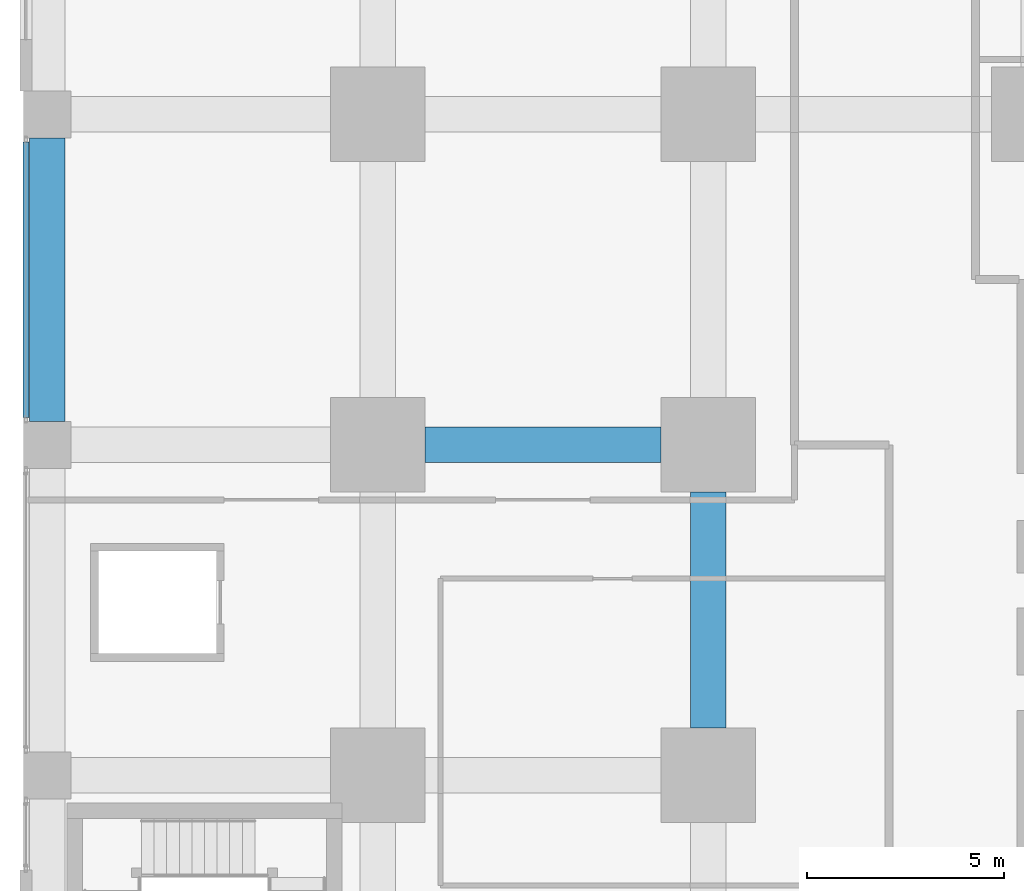
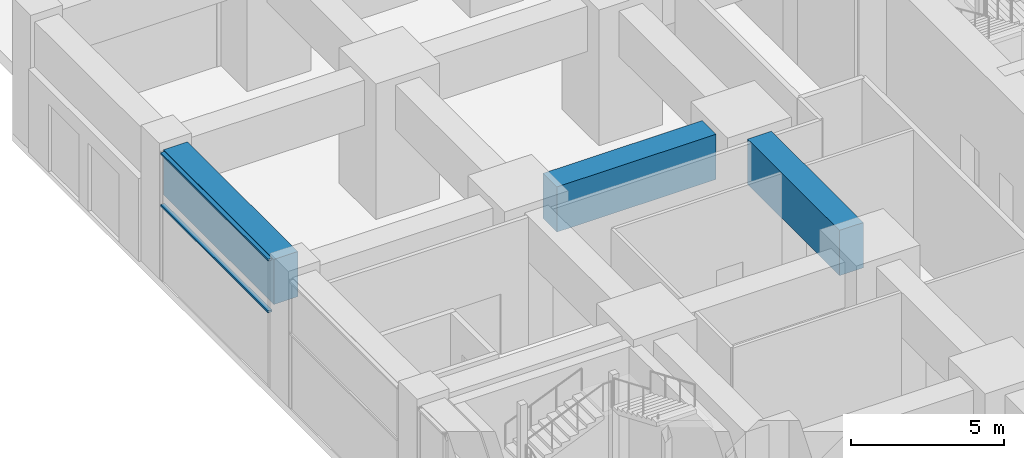
# One storey, part 19 of 81: 3 beams, 2 members, 1 element without a shape of its own.
"""IFC4 building model written with IfcOpenShell, lengths in metres."""

from ifc_helpers import new_model, si_unit, direction, frame, origin, origin_2d, place, context, subcontext, project, spatial, rectangle, hollow_rectangle, extrude, material, material_profile, profile_set, type_object, element, aggregate, save


model = new_model("IFC4")

# Units and contexts
model_context = context("Model", 3, precision=1e-05, world=origin(), true_north=direction((0.0, 1.0)))
body_context = subcontext(model_context, "Body", "Model", "MODEL_VIEW")
ifc_project = project(units=[si_unit("LENGTHUNIT", "METRE"), si_unit("AREAUNIT", "SQUARE_METRE"), si_unit("VOLUMEUNIT", "CUBIC_METRE"), si_unit("PLANEANGLEUNIT", "RADIAN"), si_unit("MASSUNIT", "GRAM", prefix="KILO")], contexts=[model_context])

# Site, building, storey
site_placement = place(None, origin())
site = spatial("IfcSite", under=ifc_project, at=site_placement, CompositionType="ELEMENT")
building_placement = place(site_placement, origin())
building = spatial("IfcBuilding", under=site, at=building_placement, Name="Rekha Terrace Tower", CompositionType="ELEMENT")
storey_placement = place(building_placement, origin())
storey = spatial("IfcBuildingStorey", under=building, at=storey_placement, Name="L00", CompositionType="ELEMENT", Elevation=0.0)

# Curtain wall, members
ifc_material_1 = material(Name="Aluminium framing", Category="aluminium")
curtain_wall_type = type_object("IfcCurtainWallType", Name="CW4 podium shopfront glazing", PredefinedType="USERDEFINED", material=ifc_material_1)
curtain_wall_placement = place(storey_placement, origin())
curtain_wall = element("IfcCurtainWall", 1, at=curtain_wall_placement, inside=storey, type_object=curtain_wall_type, Name="CW4 shopfront curtain wall", ObjectType="SHOPFRONT CURTAIN WALL", PredefinedType="USERDEFINED")
ifc_material_2 = material(Name="Aluminium transom section", Category="aluminium")
ifc_material_profile_1 = material_profile(ifc_material_2, hollow_rectangle(XDim=0.14990234375, YDim=0.074951171875, WallThickness=0.0029296875, at=origin_2d()), Name="AL RHS 150x75")
ifc_profile_set_1 = profile_set([ifc_material_profile_1], Name="Aluminium transom section")
member_type = type_object("IfcMemberType", Name="CW4 transom RHS 75 x 150", PredefinedType="USERDEFINED", material=ifc_profile_set_1)
member_1_placement = place(storey_placement, frame((-0.5400390625, 49.705078125, 3.0), z_axis=(0.0, -1.0, 0.0), x_axis=(1.0, 0.0, 0.0)))
member_1 = element("IfcMember", 2, at=member_1_placement, type_object=member_type, Name="CW4 transom 1.2", ObjectType="TRANSOM", PredefinedType="USERDEFINED", context=body_context, shape_type="SweptSolid", body=[
    extrude(hollow_rectangle(XDim=0.14990234375, YDim=0.074951171875, WallThickness=0.0029296875, at=origin_2d()), origin(), (0.0, 0.0, 1.0), 7.010009765625),
])
member_2_placement = place(storey_placement, frame((-0.5400390625, 49.705078125, 5.0625), z_axis=(0.0, -1.0, 0.0), x_axis=(1.0, 0.0, 0.0)))
member_2 = element("IfcMember", 3, at=member_2_placement, type_object=member_type, Name="CW4 transom 1.3", ObjectType="TRANSOM", PredefinedType="USERDEFINED", context=body_context, shape_type="SweptSolid", body=[
    extrude(hollow_rectangle(XDim=0.14990234375, YDim=0.074951171875, WallThickness=0.0029296875, at=origin_2d()), origin(), (0.0, 0.0, 1.0), 7.010009765625),
])
aggregate(curtain_wall, [member_1, member_2])

# Beams
ifc_material_3 = material(Name="Concrete M60", Category="concrete")
ifc_material_profile_2 = material_profile(ifc_material_3, rectangle(XDim=0.89990234375, YDim=1.800048828125, at=origin_2d()), Name="RC 900x1800")
ifc_profile_set_2 = profile_set([ifc_material_profile_2], Name="Concrete M60")
beam_type = type_object("IfcBeamType", Name="G1 900x1800 podium floor beam", PredefinedType="BEAM", material=ifc_profile_set_2)
beam_placement = place(storey_placement, frame((0.0, 42.60009765625, 4.199951171875), z_axis=(0.0, 1.0, 0.0), x_axis=(-1.0, 0.0, 0.0)))
element("IfcBeam", 4, at=beam_placement, inside=storey, type_object=beam_type, Name="Beam G1 1F-1G under L01", PredefinedType="BEAM", context=body_context, shape_type="SweptSolid", body=[
    extrude(rectangle(XDim=0.89990234375, YDim=1.800048828125, at=origin_2d()), origin(), (0.0, 0.0, 1.0), 7.199951171875),
])
for number, where, z_axis, x_axis, name in (
    (5, (9.60009765625, 42.0, 4.199951171875), (1.0, 0.0, 0.0), (0.0, 1.0, 0.0), "Beam G1 2F-3F under L01"),
    (6, (16.800048828125, 34.800048828125, 4.199951171875), (0.0, 1.0, 0.0), (-1.0, 0.0, 0.0), "Beam G1 3E-3F under L01"),
):
    element("IfcBeam", number, at=place(storey_placement, frame(where, z_axis=z_axis, x_axis=x_axis)), inside=storey, type_object=beam_type, Name=name, PredefinedType="BEAM", context=body_context, shape_type="SweptSolid", body=[
        extrude(rectangle(XDim=0.89990234375, YDim=1.800048828125, at=origin_2d()), origin(), (0.0, 0.0, 1.0), 6.0),
    ])

save(model, "model.ifc")
